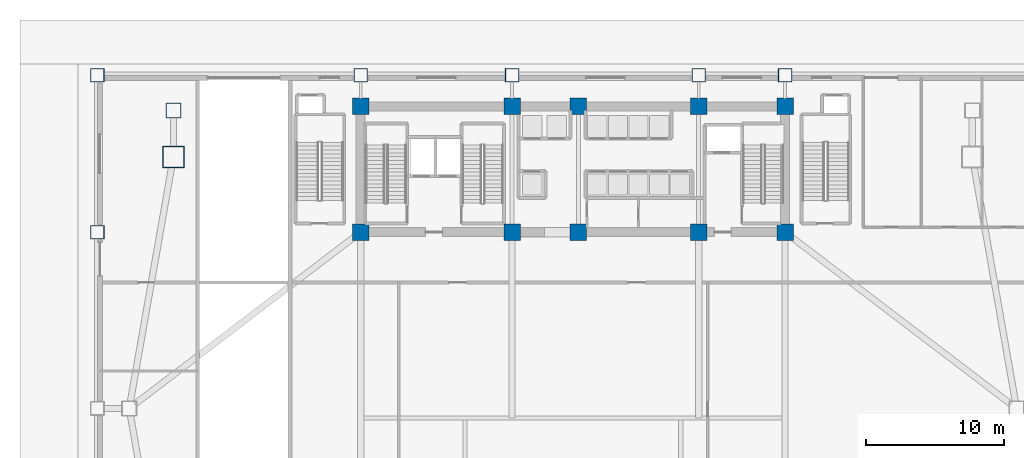
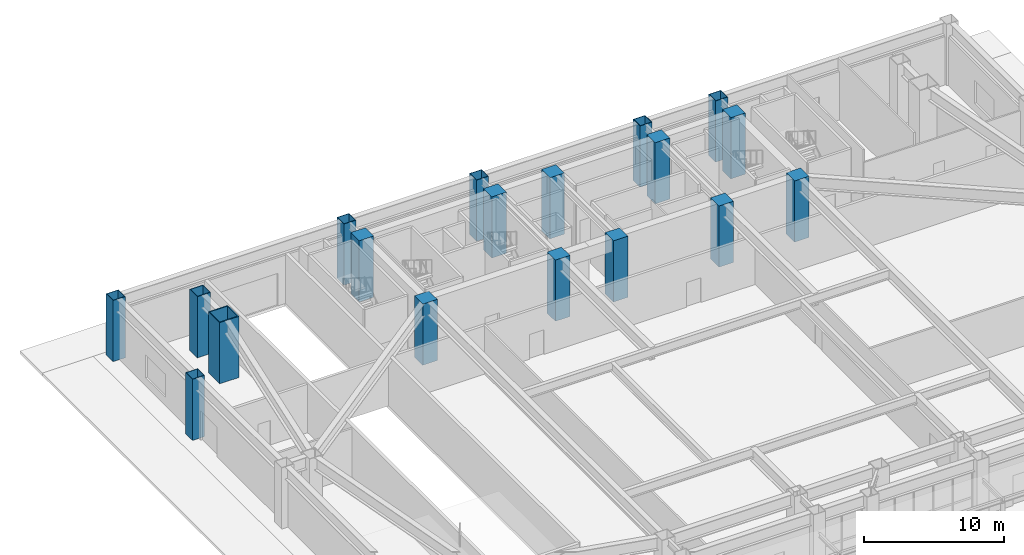
# One storey, part 3 of 18: 18 columns.
"""IFC4 building model written with IfcOpenShell, lengths in metres."""

from ifc_helpers import new_model, si_unit, direction, frame, origin, origin_2d, place, context, subcontext, project, spatial, rectangle, hollow_rectangle, extrude, source, transform, mapped, material, material_profile, profile_set, type_object, element, save


model = new_model("IFC4")

# Units and contexts
model_context = context("Model", 3, precision=1e-05, world=origin(), true_north=direction((0.0, 1.0)))
body_context = subcontext(model_context, "Body", "Model", "MODEL_VIEW")
ifc_project = project(units=[si_unit("LENGTHUNIT", "METRE"), si_unit("AREAUNIT", "SQUARE_METRE"), si_unit("VOLUMEUNIT", "CUBIC_METRE"), si_unit("PLANEANGLEUNIT", "RADIAN"), si_unit("MASSUNIT", "GRAM", prefix="KILO")], contexts=[model_context])

# Site, building, storey
site_placement = place(None, origin())
site = spatial("IfcSite", under=ifc_project, at=site_placement, CompositionType="ELEMENT")
building_placement = place(site_placement, origin())
building = spatial("IfcBuilding", under=site, at=building_placement, Name="Giltprow Tower", CompositionType="ELEMENT")
storey_placement = place(building_placement, origin())
storey = spatial("IfcBuildingStorey", under=building, at=storey_placement, Name="L01", CompositionType="ELEMENT", Elevation=0.0)

# Columns
ifc_material_1 = material(Name="Concrete C60", Category="concrete")
ifc_material_profile_1 = material_profile(ifc_material_1, rectangle(XDim=1.199951171875, YDim=1.199951171875, at=origin_2d()), Name="RC 1200x1200")
ifc_profile_set_1 = profile_set([ifc_material_profile_1], Name="Concrete C60")
column_type_1 = type_object("IfcColumnType", Name="PIL-RC-1200-C60", PredefinedType="PILASTER", material=ifc_profile_set_1)
shared_shape_1 = source(origin(), body_context, "Body", "SweptSolid", [
    extrude(rectangle(XDim=1.199951171875, YDim=1.199951171875, at=origin_2d()), origin(), (0.0, 0.0, 1.0), 5.340087890625),
])
for number, where, z_axis, x_axis, name in (
    (1, (19.85009765625, 37.449951171875, 0.0), (0.0, 0.0, 1.0), (1.0, 0.0, 0.0), "L01 Core Boundary Pilaster 1-1"),
    (2, (19.85009765625, 46.550048828125, 0.0), (0.0, 0.0, 1.0), (1.0, 0.0, 0.0), "L01 Core Boundary Pilaster 1-2"),
    (3, (30.800048828125, 37.449951171875, 0.0), (0.0, 0.0, 1.0), (1.0, 0.0, 0.0), "L01 Core Boundary Pilaster 2-1"),
    (4, (30.800048828125, 46.550048828125, 0.0), (0.0, 0.0, 1.0), (1.0, 0.0, 0.0), "L01 Core Boundary Pilaster 2-2"),
    (5, (35.60009765625, 37.449951171875, 0.0), (0.0, 0.0, 1.0), (1.0, 0.0, 0.0), "L01 Core Boundary Pilaster 3-1"),
    (6, (35.60009765625, 46.550048828125, 0.0), (0.0, 0.0, 1.0), (1.0, 0.0, 0.0), "L01 Core Boundary Pilaster 3-2"),
    (7, (44.300048828125, 37.449951171875, 0.0), (0.0, 0.0, 1.0), (1.0, 0.0, 0.0), "L01 Core Boundary Pilaster 4-1"),
    (8, (44.300048828125, 46.550048828125, 0.0), (0.0, 0.0, 1.0), (1.0, 0.0, 0.0), "L01 Core Boundary Pilaster 4-2"),
    (9, (50.550048828125, 37.449951171875, 0.0), (0.0, 0.0, 1.0), (1.0, 0.0, 0.0), "L01 Core Boundary Pilaster 5-1"),
    (10, (50.550048828125, 46.550048828125, 0.0), (0.0, 0.0, 1.0), (1.0, 0.0, 0.0), "L01 Core Boundary Pilaster 5-2"),
):
    element("IfcColumn", number, at=place(storey_placement, frame(where, z_axis=z_axis, x_axis=x_axis)), inside=storey, type_object=column_type_1, Name=name, PredefinedType="PILASTER", context=body_context, shape_type="MappedRepresentation", body=[
        mapped(shared_shape_1, transform((0.0, 0.0, 0.0), x_axis=(1.0, 0.0, 0.0), y_axis=(0.0, 1.0, 0.0), z_axis=(0.0, 0.0, 1.0), scale=1.0)),
    ])
ifc_material_2 = material(Name="Structural steel Q420GJC", Category="steel")
ifc_material_profile_2 = material_profile(ifc_material_2, hollow_rectangle(XDim=1.60009765625, YDim=1.60009765625, WallThickness=0.074951171875, at=origin_2d()), Name="BOX 1600x1600x75")
ifc_profile_set_2 = profile_set([ifc_material_profile_2], Name="Structural steel Q420GJC")
column_type_2 = type_object("IfcColumnType", Name="COL-BOX-1600x1600x75", PredefinedType="COLUMN", material=ifc_profile_set_2)
shared_shape_2 = source(origin(), body_context, "Body", "SweptSolid", [
    extrude(hollow_rectangle(XDim=1.60009765625, YDim=1.60009765625, WallThickness=0.074951171875, at=origin_2d()), origin(), (0.0, 0.0, 1.0), 5.340087890625),
])
column_1_placement = place(storey_placement, frame((6.300048828125, 42.89990234375, 0.0), z_axis=(0.0, 0.0, 1.0), x_axis=(1.0, 0.0, 0.0)))
element("IfcColumn", 11, at=column_1_placement, inside=storey, type_object=column_type_2, Name="L01 Continuous Tower Column MC_NW", PredefinedType="COLUMN", context=body_context, shape_type="MappedRepresentation", body=[
    mapped(shared_shape_2, transform((0.0, 0.0, 0.0), x_axis=(1.0, 0.0, 0.0), y_axis=(0.0, 1.0, 0.0), z_axis=(0.0, 0.0, 1.0), scale=1.0)),
])
ifc_material_profile_3 = material_profile(ifc_material_2, hollow_rectangle(XDim=1.10009765625, YDim=1.10009765625, WallThickness=0.050048828125, at=origin_2d()), Name="BOX 1100x1100x50")
ifc_profile_set_3 = profile_set([ifc_material_profile_3], Name="Structural steel Q420GJC")
column_type_3 = type_object("IfcColumnType", Name="COL-BOX-1100x1100x50", PredefinedType="COLUMN", material=ifc_profile_set_3)
shared_shape_3 = source(origin(), body_context, "Body", "SweptSolid", [
    extrude(hollow_rectangle(XDim=1.10009765625, YDim=1.10009765625, WallThickness=0.050048828125, at=origin_2d()), origin(), (0.0, 0.0, 1.0), 5.340087890625),
])
column_2_placement = place(storey_placement, frame((6.300048828125, 46.25, 0.0), z_axis=(0.0, 0.0, 1.0), x_axis=(1.0, 0.0, 0.0)))
element("IfcColumn", 12, at=column_2_placement, inside=storey, type_object=column_type_3, Name="L01 Continuous Tower Column N_W", PredefinedType="COLUMN", context=body_context, shape_type="MappedRepresentation", body=[
    mapped(shared_shape_3, transform((0.0, 0.0, 0.0), x_axis=(1.0, 0.0, 0.0), y_axis=(0.0, 1.0, 0.0), z_axis=(0.0, 0.0, 1.0), scale=1.0)),
])
ifc_material_profile_4 = material_profile(ifc_material_2, hollow_rectangle(XDim=1.0, YDim=1.0, WallThickness=0.044921875, at=origin_2d()), Name="BOX 1000x1000x45")
ifc_profile_set_4 = profile_set([ifc_material_profile_4], Name="Structural steel Q420GJC")
column_type_4 = type_object("IfcColumnType", Name="COL-BOX-1000x1000x45", PredefinedType="COLUMN", material=ifc_profile_set_4)
shared_shape_4 = source(origin(), body_context, "Body", "SweptSolid", [
    extrude(hollow_rectangle(XDim=1.0, YDim=1.0, WallThickness=0.044921875, at=origin_2d()), origin(), (0.0, 0.0, 1.0), 5.340087890625),
])
for number, where, z_axis, x_axis, name in (
    (13, (0.800048828125, 37.449951171875, 0.0), (0.0, 0.0, 1.0), (1.0, 0.0, 0.0), "L01 Podium Column (0.8,37.5)"),
    (14, (0.800048828125, 48.800048828125, 0.0), (0.0, 0.0, 1.0), (1.0, 0.0, 0.0), "L01 Podium Column (0.8,48.8)"),
    (15, (19.85009765625, 48.800048828125, 0.0), (0.0, 0.0, 1.0), (1.0, 0.0, 0.0), "L01 Podium Column (19.9,48.8)"),
    (16, (30.800048828125, 48.800048828125, 0.0), (0.0, 0.0, 1.0), (1.0, 0.0, 0.0), "L01 Podium Column (30.8,48.8)"),
    (17, (44.300048828125, 48.800048828125, 0.0), (0.0, 0.0, 1.0), (1.0, 0.0, 0.0), "L01 Podium Column (44.3,48.8)"),
    (18, (50.550048828125, 48.800048828125, 0.0), (0.0, 0.0, 1.0), (1.0, 0.0, 0.0), "L01 Podium Column (50.5,48.8)"),
):
    element("IfcColumn", number, at=place(storey_placement, frame(where, z_axis=z_axis, x_axis=x_axis)), inside=storey, type_object=column_type_4, Name=name, PredefinedType="COLUMN", context=body_context, shape_type="MappedRepresentation", body=[
        mapped(shared_shape_4, transform((0.0, 0.0, 0.0), x_axis=(1.0, 0.0, 0.0), y_axis=(0.0, 1.0, 0.0), z_axis=(0.0, 0.0, 1.0), scale=1.0)),
    ])

save(model, "model.ifc")
